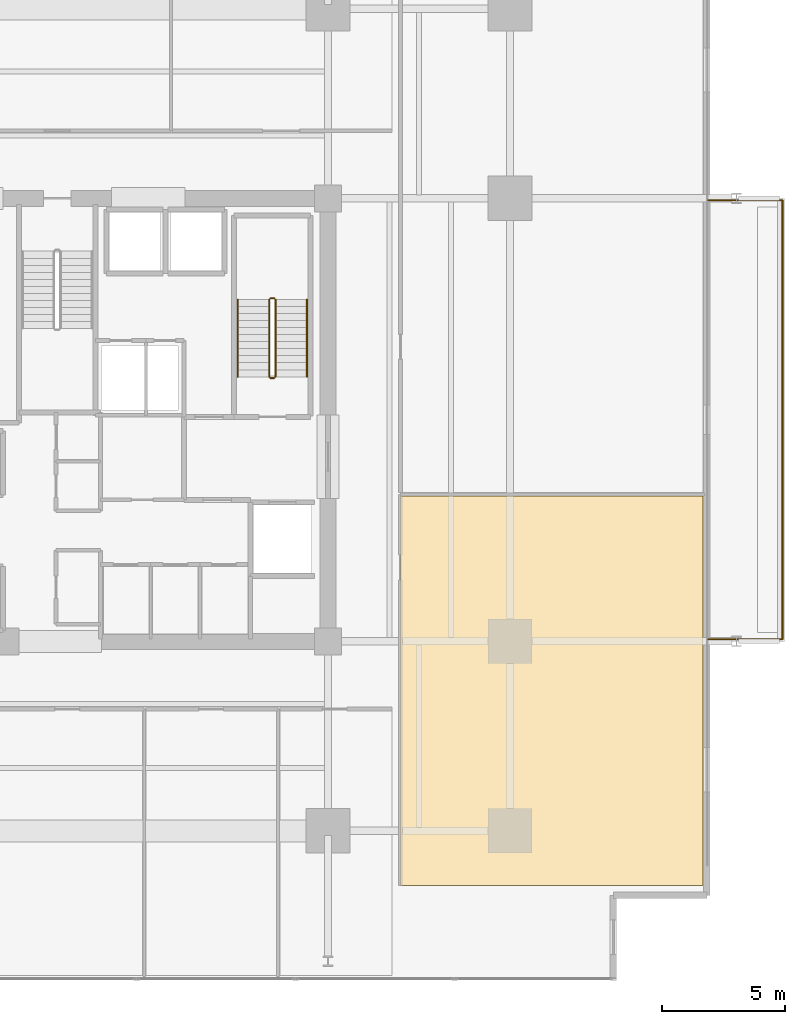
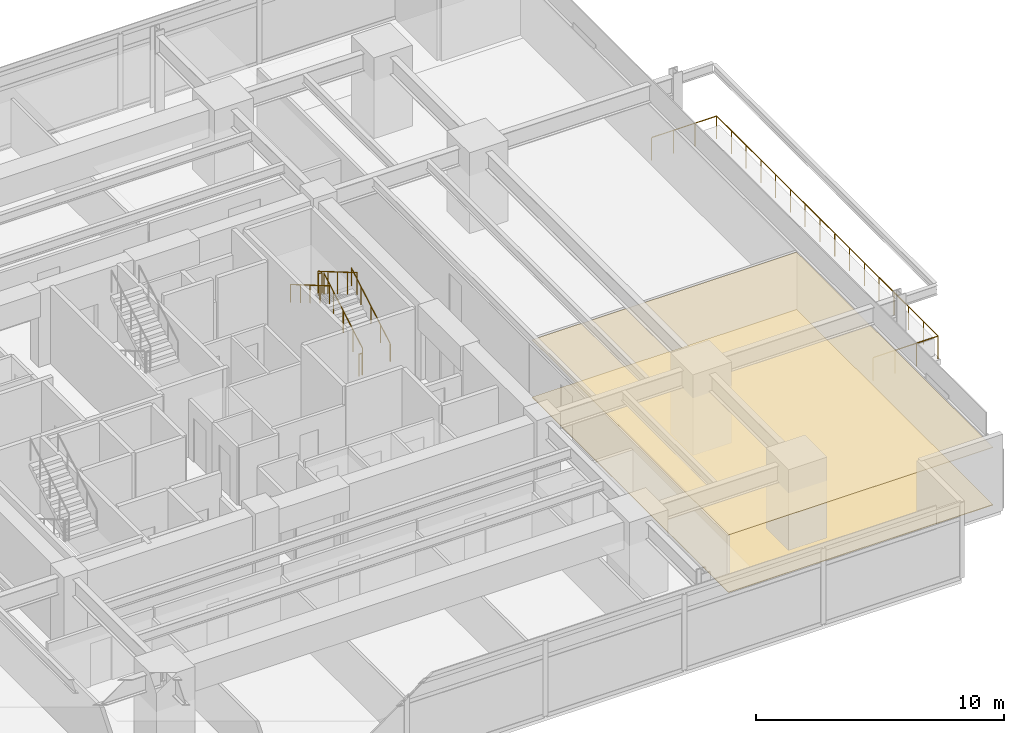
# One storey, part 21 of 22: 7 railings, 2 coverings.
"""IFC4 building model written with IfcOpenShell, lengths in metres."""

from ifc_helpers import new_model, si_unit, direction, frame, origin, origin_2d, place, context, subcontext, project, spatial, polyline, circle, outline, extrude, material, layer, layer_set, type_object, element, save


model = new_model("IFC4")

# Units and contexts
model_context = context("Model", 3, precision=1e-05, world=origin(), true_north=direction((0.0, 1.0)))
body_context = subcontext(model_context, "Body", "Model", "MODEL_VIEW")
ifc_project = project(units=[si_unit("LENGTHUNIT", "METRE"), si_unit("AREAUNIT", "SQUARE_METRE"), si_unit("VOLUMEUNIT", "CUBIC_METRE"), si_unit("PLANEANGLEUNIT", "RADIAN"), si_unit("MASSUNIT", "GRAM", prefix="KILO")], contexts=[model_context])

# Site, building, storey
site_placement = place(None, origin())
site = spatial("IfcSite", under=ifc_project, at=site_placement, CompositionType="ELEMENT")
building_placement = place(site_placement, origin())
building = spatial("IfcBuilding", under=site, at=building_placement, Name="Kovane Verandah Tower", CompositionType="ELEMENT")
storey_placement = place(building_placement, frame((0.0, 0.0, 99.60009765625)))
storey = spatial("IfcBuildingStorey", under=building, at=storey_placement, Name="L23", CompositionType="ELEMENT", Elevation=99.60009765625)

# Coverings
ifc_material_1 = material(Name="Perforated Acoustic Mineral-Fibre Ceiling Tile", Category="gypsum")
ifc_layer_1 = layer(ifc_material_1, 0.02490234375)
ifc_layer_set_1 = layer_set([ifc_layer_1], Name="Perforated Acoustic Mineral-Fibre Ceiling Tile")
covering_type_1 = type_object("IfcCoveringType", Name="CV-CEIL-25", PredefinedType="CEILING", material=ifc_layer_set_1)
covering_1_placement = place(storey_placement, frame((0.0, 0.0, 2.824951171875)))
element("IfcCovering", 1, at=covering_1_placement, inside=storey, type_object=covering_type_1, Name="L23 Meeting Room E1 Acoustic Ceiling", PredefinedType="CEILING", context=body_context, shape_type="SweptSolid", body=[
    extrude(outline(polyline([(53.949951171875, 8.5810546875), (66.24853515625, 8.5810546875), (66.24853515625, 24.403076171875), (53.949951171875, 24.403076171875), (53.949951171875, 8.5810546875)])), origin(), (0.0, 0.0, 1.0), 0.02490234375),
])
ifc_material_2 = material(Name="Polished Terrazzo and Raised-Access Carpet Tile Finish", Category="concrete")
ifc_layer_2 = layer(ifc_material_2, 0.030029296875)
ifc_layer_set_2 = layer_set([ifc_layer_2], Name="Polished Terrazzo and Raised-Access Carpet Tile Finish")
covering_type_2 = type_object("IfcCoveringType", Name="CV-FLOR-30", PredefinedType="FLOORING", material=ifc_layer_set_2)
covering_2_placement = place(storey_placement, origin())
element("IfcCovering", 2, at=covering_2_placement, inside=storey, type_object=covering_type_2, Name="L23 Meeting Room E1 Floor Finish", PredefinedType="FLOORING", context=body_context, shape_type="SweptSolid", body=[
    extrude(outline(polyline([(53.949951171875, 8.5810546875), (66.24853515625, 8.5810546875), (66.24853515625, 24.403076171875), (53.949951171875, 24.403076171875), (53.949951171875, 8.5810546875)])), origin(), (0.0, 0.0, 1.0), 0.02978515625),
])

# Railings
ifc_material_3 = material(Name="Laminated Glass and Pale-Champagne Stainless Balustrade", Category="glass")
railing_type_1 = type_object("IfcRailingType", Name="RL-BAL-1150", PredefinedType="BALUSTRADE", material=ifc_material_3)
railing_1_placement = place(storey_placement, frame((66.448486328125, 18.580078125, 0.0)))
element("IfcRailing", 3, at=railing_1_placement, inside=storey, type_object=railing_type_1, Name="L23 E Verandah Glass Balustrade", PredefinedType="BALUSTRADE", context=body_context, shape_type="SweptSolid", body=[
    extrude(circle(Radius=0.02392578125, at=origin_2d()), frame((0.0, 0.0, 1.1259765625), z_axis=(1.0, 0.0, 0.0), x_axis=(0.0, 1.0, 0.0)), (0.0, 0.0, 1.0), 3.02001953125),
    extrude(circle(Radius=0.02392578125, at=origin_2d()), frame((3.02001953125, 0.0, 1.1259765625), z_axis=(0.0, 1.0, 0.0), x_axis=(-1.0, 0.0, 0.0)), (0.0, 0.0, 1.0), 17.83984375),
    extrude(circle(Radius=0.02392578125, at=origin_2d()), frame((3.02001953125, 17.83984375, 1.1259765625), z_axis=(-1.0, 0.0, 0.0), x_axis=(0.0, -1.0, 0.0)), (0.0, 0.0, 1.0), 3.02001953125),
    extrude(circle(Radius=0.02099609375, at=origin_2d()), origin(), (0.0, 0.0, 1.0), 1.101806640625),
    extrude(circle(Radius=0.02099609375, at=origin_2d()), frame((1.006591796875, 0.0, 0.0)), (0.0, 0.0, 1.0), 1.101806640625),
    extrude(circle(Radius=0.02099609375, at=origin_2d()), frame((2.013427734375, 0.0, 0.0)), (0.0, 0.0, 1.0), 1.101806640625),
    extrude(circle(Radius=0.02099609375, at=origin_2d()), frame((3.02001953125, 0.0, 0.0)), (0.0, 0.0, 1.0), 1.101806640625),
    extrude(circle(Radius=0.02099609375, at=origin_2d()), frame((3.02001953125, 1.189208984375, 0.0)), (0.0, 0.0, 1.0), 1.101806640625),
    extrude(circle(Radius=0.02099609375, at=origin_2d()), frame((3.02001953125, 2.378662109375, 0.0)), (0.0, 0.0, 1.0), 1.101806640625),
    extrude(circle(Radius=0.02099609375, at=origin_2d()), frame((3.02001953125, 3.56787109375, 0.0)), (0.0, 0.0, 1.0), 1.101806640625),
    extrude(circle(Radius=0.02099609375, at=origin_2d()), frame((3.02001953125, 4.75732421875, 0.0)), (0.0, 0.0, 1.0), 1.101806640625),
    extrude(circle(Radius=0.02099609375, at=origin_2d()), frame((3.02001953125, 5.946533203125, 0.0)), (0.0, 0.0, 1.0), 1.101806640625),
    extrude(circle(Radius=0.02099609375, at=origin_2d()), frame((3.02001953125, 7.135986328125, 0.0)), (0.0, 0.0, 1.0), 1.101806640625),
    extrude(circle(Radius=0.02099609375, at=origin_2d()), frame((3.02001953125, 8.3251953125, 0.0)), (0.0, 0.0, 1.0), 1.101806640625),
    extrude(circle(Radius=0.02099609375, at=origin_2d()), frame((3.02001953125, 9.5146484375, 0.0)), (0.0, 0.0, 1.0), 1.101806640625),
    extrude(circle(Radius=0.02099609375, at=origin_2d()), frame((3.02001953125, 10.703857421875, 0.0)), (0.0, 0.0, 1.0), 1.101806640625),
    extrude(circle(Radius=0.02099609375, at=origin_2d()), frame((3.02001953125, 11.893310546875, 0.0)), (0.0, 0.0, 1.0), 1.101806640625),
    extrude(circle(Radius=0.02099609375, at=origin_2d()), frame((3.02001953125, 13.08251953125, 0.0)), (0.0, 0.0, 1.0), 1.101806640625),
    extrude(circle(Radius=0.02099609375, at=origin_2d()), frame((3.02001953125, 14.27197265625, 0.0)), (0.0, 0.0, 1.0), 1.101806640625),
    extrude(circle(Radius=0.02099609375, at=origin_2d()), frame((3.02001953125, 15.461181640625, 0.0)), (0.0, 0.0, 1.0), 1.101806640625),
    extrude(circle(Radius=0.02099609375, at=origin_2d()), frame((3.02001953125, 16.650634765625, 0.0)), (0.0, 0.0, 1.0), 1.101806640625),
    extrude(circle(Radius=0.02099609375, at=origin_2d()), frame((3.02001953125, 17.83984375, 0.0)), (0.0, 0.0, 1.0), 1.101806640625),
    extrude(circle(Radius=0.02099609375, at=origin_2d()), frame((2.013427734375, 17.83984375, 0.0)), (0.0, 0.0, 1.0), 1.101806640625),
    extrude(circle(Radius=0.02099609375, at=origin_2d()), frame((1.006591796875, 17.83984375, 0.0)), (0.0, 0.0, 1.0), 1.101806640625),
    extrude(circle(Radius=0.02099609375, at=origin_2d()), frame((0.0, 17.83984375, 0.0)), (0.0, 0.0, 1.0), 1.101806640625),
])
ifc_material_4 = material(Name="Brushed Stainless Steel Handrail", Category="steel")
railing_type_2 = type_object("IfcRailingType", Name="RL-HAND-920", PredefinedType="HANDRAIL", material=ifc_material_4)
railing_2_placement = place(storey_placement, frame((50.14990234375, 29.25, 0.16650390625)))
element("IfcRailing", 4, at=railing_2_placement, inside=storey, type_object=railing_type_2, Name="L23 ST-02 stair handrail 1", PredefinedType="HANDRAIL", context=body_context, shape_type="SweptSolid", body=[
    extrude(circle(Radius=0.02392578125, at=origin_2d()), frame((0.0, 0.0, 0.8759765625), z_axis=(0.0, 0.863210265497, 0.504844567704), x_axis=(-1.0, 0.0, 0.0)), (0.0, 0.0, 1.0), 3.6318359375),
    extrude(circle(Radius=0.02099609375, at=origin_2d()), origin(), (0.0, 0.0, 1.0), 0.851806640625),
    extrude(circle(Radius=0.02099609375, at=origin_2d()), frame((0.0, 0.78369140625, 0.45849609375)), (0.0, 0.0, 1.0), 0.851806640625),
    extrude(circle(Radius=0.02099609375, at=origin_2d()), frame((0.0, 1.5673828125, 0.916748046875)), (0.0, 0.0, 1.0), 0.851806640625),
    extrude(circle(Radius=0.02099609375, at=origin_2d()), frame((0.0, 2.351318359375, 1.375)), (0.0, 0.0, 1.0), 0.851806640625),
    extrude(circle(Radius=0.02099609375, at=origin_2d()), frame((0.0, 3.135009765625, 1.83349609375)), (0.0, 0.0, 1.0), 0.851806640625),
])
railing_3_placement = place(storey_placement, frame((47.330078125, 32.385009765625, 2.16650390625)))
element("IfcRailing", 5, at=railing_3_placement, inside=storey, type_object=railing_type_2, Name="L23 ST-02 stair handrail 2", PredefinedType="HANDRAIL", context=body_context, shape_type="SweptSolid", body=[
    extrude(circle(Radius=0.02392578125, at=origin_2d()), frame((0.0, 0.0, 0.8759765625), z_axis=(0.0, -0.863210265497, 0.504844567704), x_axis=(1.0, 0.0, 0.0)), (0.0, 0.0, 1.0), 3.6318359375),
    extrude(circle(Radius=0.02099609375, at=origin_2d()), origin(), (0.0, 0.0, 1.0), 0.851806640625),
    extrude(circle(Radius=0.02099609375, at=origin_2d()), frame((0.0, -0.78369140625, 0.45849609375)), (0.0, 0.0, 1.0), 0.851806640625),
    extrude(circle(Radius=0.02099609375, at=origin_2d()), frame((0.0, -1.5673828125, 0.916748046875)), (0.0, 0.0, 1.0), 0.851806640625),
    extrude(circle(Radius=0.02099609375, at=origin_2d()), frame((0.0, -2.351318359375, 1.375)), (0.0, 0.0, 1.0), 0.851806640625),
    extrude(circle(Radius=0.02099609375, at=origin_2d()), frame((0.0, -3.135009765625, 1.83349609375)), (0.0, 0.0, 1.0), 0.851806640625),
])
ifc_material_5 = material(Name="Painted Steel Stairwell Guardrail", Category="steel")
railing_type_3 = type_object("IfcRailingType", Name="RL-STGUARD-1120", PredefinedType="GUARDRAIL", material=ifc_material_5)
railing_4_placement = place(storey_placement, frame((48.8701171875, 29.25, 0.16650390625)))
element("IfcRailing", 6, at=railing_4_placement, inside=storey, type_object=railing_type_3, Name="L23 ST-02 stair guard 1", PredefinedType="GUARDRAIL", context=body_context, shape_type="SweptSolid", body=[
    extrude(circle(Radius=0.02392578125, at=origin_2d()), frame((0.0, 0.0, 1.076171875), z_axis=(0.0, 0.863210265497, 0.504844567704), x_axis=(-1.0, 0.0, 0.0)), (0.0, 0.0, 1.0), 3.6318359375),
    extrude(circle(Radius=0.02099609375, at=origin_2d()), origin(), (0.0, 0.0, 1.0), 1.052001953125),
    extrude(circle(Radius=0.02099609375, at=origin_2d()), frame((0.0, 0.78369140625, 0.45849609375)), (0.0, 0.0, 1.0), 1.052001953125),
    extrude(circle(Radius=0.02099609375, at=origin_2d()), frame((0.0, 1.5673828125, 0.916748046875)), (0.0, 0.0, 1.0), 1.052001953125),
    extrude(circle(Radius=0.02099609375, at=origin_2d()), frame((0.0, 2.351318359375, 1.375)), (0.0, 0.0, 1.0), 1.052001953125),
    extrude(circle(Radius=0.02099609375, at=origin_2d()), frame((0.0, 3.135009765625, 1.83349609375)), (0.0, 0.0, 1.0), 1.052001953125),
])
railing_5_placement = place(storey_placement, frame((48.820068359375, 32.43505859375, 2.0)))
element("IfcRailing", 7, at=railing_5_placement, inside=storey, type_object=railing_type_3, Name="L23 ST-02 stair guard 2", PredefinedType="GUARDRAIL", context=body_context, shape_type="SweptSolid", body=[
    extrude(circle(Radius=0.02392578125, at=origin_2d()), frame((0.0, 0.0, 1.076171875), z_axis=(-1.0, 0.0, 0.0), x_axis=(0.0, -1.0, 0.0)), (0.0, 0.0, 1.0), 0.16015625),
    extrude(circle(Radius=0.02099609375, at=origin_2d()), origin(), (0.0, 0.0, 1.0), 1.052001953125),
    extrude(circle(Radius=0.02099609375, at=origin_2d()), frame((-0.16015625, 0.0, 0.0)), (0.0, 0.0, 1.0), 1.052001953125),
])
railing_6_placement = place(storey_placement, frame((48.610107421875, 32.385009765625, 2.16650390625)))
element("IfcRailing", 8, at=railing_6_placement, inside=storey, type_object=railing_type_3, Name="L23 ST-02 stair guard 3", PredefinedType="GUARDRAIL", context=body_context, shape_type="SweptSolid", body=[
    extrude(circle(Radius=0.02392578125, at=origin_2d()), frame((0.0, 0.0, 1.076171875), z_axis=(0.0, -0.863210265497, 0.504844567704), x_axis=(1.0, 0.0, 0.0)), (0.0, 0.0, 1.0), 3.6318359375),
    extrude(circle(Radius=0.02099609375, at=origin_2d()), origin(), (0.0, 0.0, 1.0), 1.052001953125),
    extrude(circle(Radius=0.02099609375, at=origin_2d()), frame((0.0, -0.78369140625, 0.45849609375)), (0.0, 0.0, 1.0), 1.052001953125),
    extrude(circle(Radius=0.02099609375, at=origin_2d()), frame((0.0, -1.5673828125, 0.916748046875)), (0.0, 0.0, 1.0), 1.052001953125),
    extrude(circle(Radius=0.02099609375, at=origin_2d()), frame((0.0, -2.351318359375, 1.375)), (0.0, 0.0, 1.0), 1.052001953125),
    extrude(circle(Radius=0.02099609375, at=origin_2d()), frame((0.0, -3.135009765625, 1.83349609375)), (0.0, 0.0, 1.0), 1.052001953125),
])
railing_7_placement = place(storey_placement, frame((48.820068359375, 29.199951171875, 0.0)))
element("IfcRailing", 9, at=railing_7_placement, inside=storey, type_object=railing_type_3, Name="L23 ST-02 stair guard 4", PredefinedType="GUARDRAIL", context=body_context, shape_type="SweptSolid", body=[
    extrude(circle(Radius=0.02392578125, at=origin_2d()), frame((0.0, 0.0, 1.076171875), z_axis=(-1.0, 0.0, 0.0), x_axis=(0.0, -1.0, 0.0)), (0.0, 0.0, 1.0), 0.16015625),
    extrude(circle(Radius=0.02099609375, at=origin_2d()), origin(), (0.0, 0.0, 1.0), 1.052001953125),
    extrude(circle(Radius=0.02099609375, at=origin_2d()), frame((-0.16015625, 0.0, 0.0)), (0.0, 0.0, 1.0), 1.052001953125),
])

save(model, "model.ifc")
